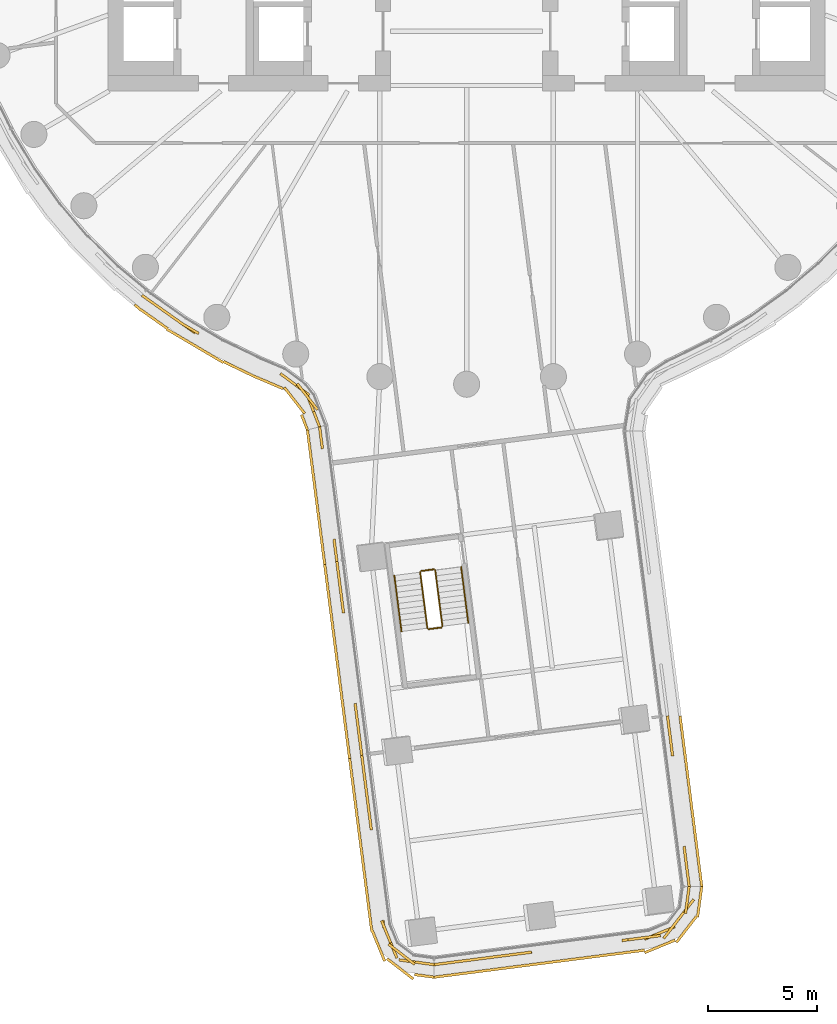
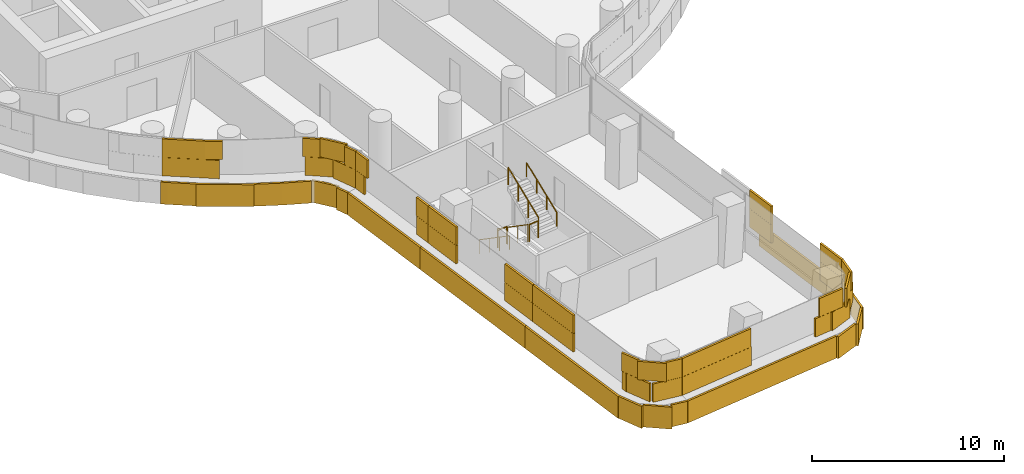
# One storey, part 25 of 31: 6 coverings, 6 railings.
"""IFC4 building model written with IfcOpenShell, lengths in metres."""

from ifc_helpers import new_model, si_unit, direction, frame, origin, origin_2d, place, context, subcontext, project, spatial, rectangle, circle, extrude, material, layer, layer_set, type_object, element, save


model = new_model("IFC4")

# Units and contexts
model_context = context("Model", 3, precision=1e-05, world=origin(), true_north=direction((0.0, 1.0)))
body_context = subcontext(model_context, "Body", "Model", "MODEL_VIEW")
ifc_project = project(units=[si_unit("LENGTHUNIT", "METRE"), si_unit("AREAUNIT", "SQUARE_METRE"), si_unit("VOLUMEUNIT", "CUBIC_METRE"), si_unit("PLANEANGLEUNIT", "RADIAN"), si_unit("MASSUNIT", "GRAM", prefix="KILO")], contexts=[model_context])

# Site, building, storey
site_placement = place(None, origin())
site = spatial("IfcSite", under=ifc_project, at=site_placement, CompositionType="ELEMENT")
building_placement = place(site_placement, origin())
building = spatial("IfcBuilding", under=site, at=building_placement, Name="Tamarind Cross Interchange Tower", CompositionType="ELEMENT")
storey_placement = place(building_placement, frame((0.0, 0.0, 60.25)))
storey = spatial("IfcBuildingStorey", under=building, at=storey_placement, Name="L13", CompositionType="ELEMENT", Elevation=60.25)

# Railings
ifc_material_1 = material(Name="Stair guard")
railing_type_1 = type_object("IfcRailingType", Name="Stair guard", PredefinedType="GUARDRAIL", material=ifc_material_1)
railing_1_placement = place(storey_placement, frame((-2.138916015625, -31.65087890625, 0.17041015625)))
element("IfcRailing", 1, at=railing_1_placement, inside=storey, type_object=railing_type_1, Name="L13 ST6 stair guard 1", PredefinedType="GUARDRAIL", context=body_context, shape_type="SweptSolid", body=[
    extrude(circle(Radius=0.02392578125, at=origin_2d()), frame((0.0, 0.0, 1.076171875), z_axis=(0.106483526738, -0.829487826646, 0.548280223955), x_axis=(0.991860696927, 0.127327757742, 0.0)), (0.0, 0.0, 1.0), 3.10888671875),
    extrude(circle(Radius=0.02099609375, at=origin_2d()), origin(), (0.0, 0.0, 1.0), 1.052001953125),
    extrude(circle(Radius=0.02099609375, at=origin_2d()), frame((0.1103515625, -0.859619140625, 0.568115234375)), (0.0, 0.0, 1.0), 1.052001953125),
    extrude(circle(Radius=0.02099609375, at=origin_2d()), frame((0.220703125, -1.71923828125, 1.136474609375)), (0.0, 0.0, 1.0), 1.052001953125),
    extrude(circle(Radius=0.02099609375, at=origin_2d()), frame((0.3310546875, -2.578857421875, 1.70458984375)), (0.0, 0.0, 1.0), 1.052001953125),
])
railing_2_placement = place(storey_placement, frame((-1.751953125, -34.27294921875, 1.875)))
element("IfcRailing", 2, at=railing_2_placement, inside=storey, type_object=railing_type_1, Name="L13 ST6 stair guard 2", PredefinedType="GUARDRAIL", context=body_context, shape_type="SweptSolid", body=[
    extrude(circle(Radius=0.02392578125, at=origin_2d()), frame((0.0, 0.0, 1.076171875), z_axis=(0.991859281411, 0.127338783873, 0.0), x_axis=(-0.127338783873, 0.991859281411, 0.0)), (0.0, 0.0, 1.0), 0.60009765625),
    extrude(circle(Radius=0.02099609375, at=origin_2d()), origin(), (0.0, 0.0, 1.0), 1.052001953125),
    extrude(circle(Radius=0.02099609375, at=origin_2d()), frame((0.59521484375, 0.076416015625, 0.0)), (0.0, 0.0, 1.0), 1.052001953125),
])
railing_3_placement = place(storey_placement, frame((-1.113525390625, -34.140625, 2.04541015625)))
element("IfcRailing", 3, at=railing_3_placement, inside=storey, type_object=railing_type_1, Name="L13 ST6 stair guard 3", PredefinedType="GUARDRAIL", context=body_context, shape_type="SweptSolid", body=[
    extrude(circle(Radius=0.02392578125, at=origin_2d()), frame((0.0, 0.0, 1.076171875), z_axis=(-0.106483526738, 0.829487826646, 0.548280223955), x_axis=(-0.991860696927, -0.127327757742, 0.0)), (0.0, 0.0, 1.0), 3.10888671875),
    extrude(circle(Radius=0.02099609375, at=origin_2d()), origin(), (0.0, 0.0, 1.0), 1.052001953125),
    extrude(circle(Radius=0.02099609375, at=origin_2d()), frame((-0.1103515625, 0.859619140625, 0.568115234375)), (0.0, 0.0, 1.0), 1.052001953125),
    extrude(circle(Radius=0.02099609375, at=origin_2d()), frame((-0.220703125, 1.71923828125, 1.136474609375)), (0.0, 0.0, 1.0), 1.052001953125),
    extrude(circle(Radius=0.02099609375, at=origin_2d()), frame((-0.3310546875, 2.578857421875, 1.70458984375)), (0.0, 0.0, 1.0), 1.052001953125),
])
railing_4_placement = place(storey_placement, frame((-2.095703125, -31.5947265625, 0.0)))
element("IfcRailing", 4, at=railing_4_placement, inside=storey, type_object=railing_type_1, Name="L13 ST6 stair guard 4", PredefinedType="GUARDRAIL", context=body_context, shape_type="SweptSolid", body=[
    extrude(circle(Radius=0.02392578125, at=origin_2d()), frame((0.0, 0.0, 1.076171875), z_axis=(0.991910587216, 0.126938516494, 0.0), x_axis=(-0.126938516494, 0.991910587216, 0.0)), (0.0, 0.0, 1.0), 0.60009765625),
    extrude(circle(Radius=0.02099609375, at=origin_2d()), origin(), (0.0, 0.0, 1.0), 1.052001953125),
    extrude(circle(Radius=0.02099609375, at=origin_2d()), frame((0.59521484375, 0.076171875, 0.0)), (0.0, 0.0, 1.0), 1.052001953125),
])
ifc_material_2 = material(Name="Stair handrail")
railing_type_2 = type_object("IfcRailingType", Name="Stair handrail", PredefinedType="HANDRAIL", material=ifc_material_2)
railing_5_placement = place(storey_placement, frame((-3.3291015625, -31.803466796875, 0.17041015625)))
element("IfcRailing", 5, at=railing_5_placement, inside=storey, type_object=railing_type_2, Name="L13 ST6 stair handrail 1", PredefinedType="HANDRAIL", context=body_context, shape_type="SweptSolid", body=[
    extrude(circle(Radius=0.02392578125, at=origin_2d()), frame((0.0, 0.0, 0.8759765625), z_axis=(0.106483526738, -0.829487826646, 0.548280223955), x_axis=(0.991860696927, 0.127327757742, 0.0)), (0.0, 0.0, 1.0), 3.10888671875),
    extrude(circle(Radius=0.02099609375, at=origin_2d()), origin(), (0.0, 0.0, 1.0), 0.851806640625),
    extrude(circle(Radius=0.02099609375, at=origin_2d()), frame((0.1103515625, -0.859619140625, 0.568115234375)), (0.0, 0.0, 1.0), 0.851806640625),
    extrude(circle(Radius=0.02099609375, at=origin_2d()), frame((0.220703125, -1.71923828125, 1.136474609375)), (0.0, 0.0, 1.0), 0.851806640625),
    extrude(circle(Radius=0.02099609375, at=origin_2d()), frame((0.3310546875, -2.578857421875, 1.70458984375)), (0.0, 0.0, 1.0), 0.851806640625),
])
railing_6_placement = place(storey_placement, frame((0.07666015625, -33.98779296875, 2.04541015625)))
element("IfcRailing", 6, at=railing_6_placement, inside=storey, type_object=railing_type_2, Name="L13 ST6 stair handrail 2", PredefinedType="HANDRAIL", context=body_context, shape_type="SweptSolid", body=[
    extrude(circle(Radius=0.02392578125, at=origin_2d()), frame((0.0, 0.0, 0.8759765625), z_axis=(-0.106483526738, 0.829487826646, 0.548280223955), x_axis=(-0.991860696927, -0.127327757742, 0.0)), (0.0, 0.0, 1.0), 3.10888671875),
    extrude(circle(Radius=0.02099609375, at=origin_2d()), origin(), (0.0, 0.0, 1.0), 0.851806640625),
    extrude(circle(Radius=0.02099609375, at=origin_2d()), frame((-0.1103515625, 0.859619140625, 0.568115234375)), (0.0, 0.0, 1.0), 0.851806640625),
    extrude(circle(Radius=0.02099609375, at=origin_2d()), frame((-0.220703125, 1.71923828125, 1.136474609375)), (0.0, 0.0, 1.0), 0.851806640625),
    extrude(circle(Radius=0.02099609375, at=origin_2d()), frame((-0.3310546875, 2.578857421875, 1.70458984375)), (0.0, 0.0, 1.0), 0.851806640625),
])

# Coverings
ifc_material_3 = material(Name="Terracotta", Category="masonry")
ifc_layer = layer(ifc_material_3, 0.1201171875)
ifc_layer_set = layer_set([ifc_layer], Name="Terracotta")
covering_type = type_object("IfcCoveringType", Name="Terracotta baguette screen unit", PredefinedType="MOLDING", material=ifc_layer_set)
covering_1_placement = place(storey_placement, origin())
element("IfcCovering", 7, at=covering_1_placement, inside=storey, type_object=covering_type, Name="SCR-L13-02-01", PredefinedType="MOLDING", context=body_context, shape_type="SweptSolid", body=[
    extrude(rectangle(XDim=1.493896484375, YDim=0.1201171875, at=origin_2d()), frame((-14.331787109375, -19.33984375, 1.404052734375), z_axis=(0.0, 0.0, 1.0), x_axis=(0.816341886298, -0.577568978284, 0.0)), (0.0, 0.0, 1.0), 1.1669921875),
    extrude(rectangle(XDim=1.52001953125, YDim=0.1201171875, at=origin_2d()), frame((-13.11376953125, -20.201416015625, 1.404052734375), z_axis=(0.0, 0.0, 1.0), x_axis=(0.816341886298, -0.577568978284, 0.0)), (0.0, 0.0, 1.0), 1.1669921875),
    extrude(rectangle(XDim=1.52001953125, YDim=0.1201171875, at=origin_2d()), frame((-7.8515625, -23.047607421875, 1.404052734375), z_axis=(0.0, 0.0, 1.0), x_axis=(0.802208904027, -0.597043444231, 0.0)), (0.0, 0.0, 1.0), 1.1669921875),
    extrude(rectangle(XDim=1.505615234375, YDim=0.1201171875, at=origin_2d()), frame((-7.039306640625, -24.2626953125, 1.404052734375), z_axis=(0.0, 0.0, 1.0), x_axis=(0.362472967491, -0.931994285303, 0.0)), (0.0, 0.0, 1.0), 1.1669921875),
    extrude(rectangle(XDim=0.743896484375, YDim=0.1201171875, at=origin_2d()), frame((-14.637939453125, -19.123291015625, 2.5791015625), z_axis=(0.0, 0.0, 1.0), x_axis=(0.816341886298, -0.577568978284, 0.0)), (0.0, 0.0, 1.0), 1.1669921875),
    extrude(rectangle(XDim=1.52001953125, YDim=0.1201171875, at=origin_2d()), frame((-13.72607421875, -19.768310546875, 2.5791015625), z_axis=(0.0, 0.0, 1.0), x_axis=(0.816341886298, -0.577568978284, 0.0)), (0.0, 0.0, 1.0), 1.1669921875),
    extrude(rectangle(XDim=0.915771484375, YDim=0.1201171875, at=origin_2d()), frame((-12.72509765625, -20.433837890625, 2.5791015625), z_axis=(0.0, 0.0, 1.0), x_axis=(0.861248933065, -0.508183308752, 0.0)), (0.0, 0.0, 1.0), 1.1669921875),
    extrude(rectangle(XDim=0.904296875, YDim=0.1201171875, at=origin_2d()), frame((-8.210205078125, -22.78076171875, 2.5791015625), z_axis=(0.0, 0.0, 1.0), x_axis=(0.802208904027, -0.597043444231, 0.0)), (0.0, 0.0, 1.0), 1.1669921875),
    extrude(rectangle(XDim=1.52001953125, YDim=0.1201171875, at=origin_2d()), frame((-7.32861328125, -23.576171875, 2.5791015625), z_axis=(0.0, 0.0, 1.0), x_axis=(0.615646418877, -0.788022516762, 0.0)), (0.0, 0.0, 1.0), 1.1669921875),
    extrude(rectangle(XDim=0.755615234375, YDim=0.1201171875, at=origin_2d()), frame((-6.9033203125, -24.6123046875, 2.5791015625), z_axis=(0.0, 0.0, 1.0), x_axis=(0.362472967491, -0.931994285303, 0.0)), (0.0, 0.0, 1.0), 1.1669921875),
    extrude(rectangle(XDim=0.375244140625, YDim=0.1201171875, at=origin_2d()), frame((-15.1357421875, -19.46435546875, 0.00390625), z_axis=(0.0, 0.0, 1.0), x_axis=(0.765858396687, -0.643009266048, 0.0)), (0.0, 0.0, 1.0), 1.39208984375),
    extrude(rectangle(XDim=1.52001953125, YDim=0.1201171875, at=origin_2d()), frame((-14.38330078125, -20.00634765625, 0.00390625), z_axis=(0.0, 0.0, 1.0), x_axis=(0.816341886298, -0.577568978284, 0.0)), (0.0, 0.0, 1.0), 1.39208984375),
    extrude(rectangle(XDim=1.52001953125, YDim=0.1201171875, at=origin_2d()), frame((-13.1455078125, -20.852294921875, 0.00390625), z_axis=(0.0, 0.0, 1.0), x_axis=(0.861248933065, -0.508183308752, 0.0)), (0.0, 0.0, 1.0), 1.39208984375),
    extrude(rectangle(XDim=1.52001953125, YDim=0.1201171875, at=origin_2d()), frame((-11.853759765625, -21.61474609375, 0.00390625), z_axis=(0.0, 0.0, 1.0), x_axis=(0.861248933065, -0.508183308752, 0.0)), (0.0, 0.0, 1.0), 1.39208984375),
    extrude(rectangle(XDim=1.52001953125, YDim=0.1201171875, at=origin_2d()), frame((-10.5126953125, -22.285400390625, 0.00390625), z_axis=(0.0, 0.0, 1.0), x_axis=(0.900272776334, -0.435326231914, 0.0)), (0.0, 0.0, 1.0), 1.39208984375),
    extrude(rectangle(XDim=1.52001953125, YDim=0.1201171875, at=origin_2d()), frame((-9.14794921875, -22.90673828125, 0.00390625), z_axis=(0.0, 0.0, 1.0), x_axis=(0.920061117833, -0.391774858116, 0.0)), (0.0, 0.0, 1.0), 1.39208984375),
    extrude(rectangle(XDim=1.52001953125, YDim=0.1201171875, at=origin_2d()), frame((-7.922607421875, -23.748291015625, 0.00390625), z_axis=(0.0, 0.0, 1.0), x_axis=(0.615646418877, -0.788022516762, 0.0)), (0.0, 0.0, 1.0), 1.39208984375),
    extrude(rectangle(XDim=0.746337890625, YDim=0.1201171875, at=origin_2d()), frame((-7.4638671875, -24.75439453125, 0.00390625), z_axis=(0.0, 0.0, 1.0), x_axis=(0.362472967491, -0.931994285303, 0.0)), (0.0, 0.0, 1.0), 1.39208984375),
])
covering_2_placement = place(storey_placement, origin())
element("IfcCovering", 8, at=covering_2_placement, inside=storey, type_object=covering_type, Name="SCR-L13-03-00", PredefinedType="MOLDING", context=body_context, shape_type="SweptSolid", body=[
    extrude(rectangle(XDim=0.760009765625, YDim=0.1201171875, at=origin_2d()), frame((-6.720458984375, -25.33154296875, 1.404052734375), z_axis=(0.0, 0.0, 1.0), x_axis=(0.127300045824, -0.991864253985, 0.0)), (0.0, 0.0, 1.0), 1.1669921875),
    extrude(rectangle(XDim=0.997314453125, YDim=0.1201171875, at=origin_2d()), frame((-6.037109375, -30.656494140625, 1.404052734375), z_axis=(0.0, 0.0, 1.0), x_axis=(0.127300045824, -0.991864253985, 0.0)), (0.0, 0.0, 1.0), 1.1669921875),
    extrude(rectangle(XDim=1.0185546875, YDim=0.1201171875, at=origin_2d()), frame((-6.703369140625, -25.46484375, 2.5791015625), z_axis=(0.0, 0.0, 1.0), x_axis=(0.127300045824, -0.991864253985, 0.0)), (0.0, 0.0, 1.0), 1.1669921875),
    extrude(rectangle(XDim=0.79150390625, YDim=0.1201171875, at=origin_2d()), frame((-6.05419921875, -30.5234375, 2.5791015625), z_axis=(0.0, 0.0, 1.0), x_axis=(0.127300045824, -0.991864253985, 0.0)), (0.0, 0.0, 1.0), 1.1669921875),
    extrude(rectangle(XDim=0.247314453125, YDim=0.1201171875, at=origin_2d()), frame((-5.989501953125, -31.028564453125, 2.5791015625), z_axis=(0.0, 0.0, 1.0), x_axis=(0.127300045824, -0.991864253985, 0.0)), (0.0, 0.0, 1.0), 1.1669921875),
    extrude(rectangle(XDim=0.760009765625, YDim=0.1201171875, at=origin_2d()), frame((-7.2802734375, -25.479248046875, 0.00390625), z_axis=(0.0, 0.0, 1.0), x_axis=(0.127300045824, -0.991864253985, 0.0)), (0.0, 0.0, 1.0), 1.39208984375),
    extrude(rectangle(XDim=1.52001953125, YDim=0.1201171875, at=origin_2d()), frame((-7.1376953125, -26.590087890625, 0.00390625), z_axis=(0.0, 0.0, 1.0), x_axis=(0.127300045824, -0.991864253985, 0.0)), (0.0, 0.0, 1.0), 1.39208984375),
    extrude(rectangle(XDim=1.52001953125, YDim=0.1201171875, at=origin_2d()), frame((-6.94677734375, -28.077880859375, 0.00390625), z_axis=(0.0, 0.0, 1.0), x_axis=(0.127300045824, -0.991864253985, 0.0)), (0.0, 0.0, 1.0), 1.39208984375),
    extrude(rectangle(XDim=1.52001953125, YDim=0.1201171875, at=origin_2d()), frame((-6.755859375, -29.565673828125, 0.00390625), z_axis=(0.0, 0.0, 1.0), x_axis=(0.127300045824, -0.991864253985, 0.0)), (0.0, 0.0, 1.0), 1.39208984375),
    extrude(rectangle(XDim=0.998779296875, YDim=0.1201171875, at=origin_2d()), frame((-6.59814453125, -30.794921875, 0.00390625), z_axis=(0.0, 0.0, 1.0), x_axis=(0.127300045824, -0.991864253985, 0.0)), (0.0, 0.0, 1.0), 1.39208984375),
])
covering_3_placement = place(storey_placement, origin())
element("IfcCovering", 9, at=covering_3_placement, inside=storey, type_object=covering_type, Name="SCR-L13-03-01", PredefinedType="MOLDING", context=body_context, shape_type="SweptSolid", body=[
    extrude(rectangle(XDim=0.522705078125, YDim=0.1201171875, at=origin_2d()), frame((-5.941650390625, -31.400390625, 1.404052734375), z_axis=(0.0, 0.0, 1.0), x_axis=(0.127300045824, -0.991864253985, 0.0)), (0.0, 0.0, 1.0), 1.1669921875),
    extrude(rectangle(XDim=1.52001953125, YDim=0.1201171875, at=origin_2d()), frame((-5.8134765625, -32.398681640625, 1.404052734375), z_axis=(0.0, 0.0, 1.0), x_axis=(0.127300045824, -0.991864253985, 0.0)), (0.0, 0.0, 1.0), 1.1669921875),
    extrude(rectangle(XDim=0.3974609375, YDim=0.1201171875, at=origin_2d()), frame((-5.693359375, -33.334716796875, 1.404052734375), z_axis=(0.0, 0.0, 1.0), x_axis=(0.127300045824, -0.991864253985, 0.0)), (0.0, 0.0, 1.0), 1.1669921875),
    extrude(rectangle(XDim=1.422607421875, YDim=0.1201171875, at=origin_2d()), frame((-5.044189453125, -38.393310546875, 1.404052734375), z_axis=(0.0, 0.0, 1.0), x_axis=(0.127300045824, -0.991864253985, 0.0)), (0.0, 0.0, 1.0), 1.1669921875),
    extrude(rectangle(XDim=0.99755859375, YDim=0.1201171875, at=origin_2d()), frame((-4.891357421875, -39.58349609375, 1.404052734375), z_axis=(0.0, 0.0, 1.0), x_axis=(0.127300045824, -0.991864253985, 0.0)), (0.0, 0.0, 1.0), 1.1669921875),
    extrude(rectangle(XDim=1.272705078125, YDim=0.1201171875, at=origin_2d()), frame((-5.89404296875, -31.7724609375, 2.5791015625), z_axis=(0.0, 0.0, 1.0), x_axis=(0.127300045824, -0.991864253985, 0.0)), (0.0, 0.0, 1.0), 1.1669921875),
    extrude(rectangle(XDim=1.1474609375, YDim=0.1201171875, at=origin_2d()), frame((-5.7412109375, -32.962646484375, 2.5791015625), z_axis=(0.0, 0.0, 1.0), x_axis=(0.127300045824, -0.991864253985, 0.0)), (0.0, 0.0, 1.0), 1.1669921875),
    extrude(rectangle(XDim=0.672607421875, YDim=0.1201171875, at=origin_2d()), frame((-5.092041015625, -38.021240234375, 2.5791015625), z_axis=(0.0, 0.0, 1.0), x_axis=(0.127300045824, -0.991864253985, 0.0)), (0.0, 0.0, 1.0), 1.1669921875),
    extrude(rectangle(XDim=1.52001953125, YDim=0.1201171875, at=origin_2d()), frame((-4.954345703125, -39.09375, 2.5791015625), z_axis=(0.0, 0.0, 1.0), x_axis=(0.127300045824, -0.991864253985, 0.0)), (0.0, 0.0, 1.0), 1.1669921875),
    extrude(rectangle(XDim=0.24755859375, YDim=0.1201171875, at=origin_2d()), frame((-4.84375, -39.95556640625, 2.5791015625), z_axis=(0.0, 0.0, 1.0), x_axis=(0.127300045824, -0.991864253985, 0.0)), (0.0, 0.0, 1.0), 1.1669921875),
    extrude(rectangle(XDim=0.521240234375, YDim=0.1201171875, at=origin_2d()), frame((-6.501220703125, -31.548828125, 0.00390625), z_axis=(0.0, 0.0, 1.0), x_axis=(0.127300045824, -0.991864253985, 0.0)), (0.0, 0.0, 1.0), 1.39208984375),
    extrude(rectangle(XDim=1.52001953125, YDim=0.1201171875, at=origin_2d()), frame((-6.3740234375, -32.541259765625, 0.00390625), z_axis=(0.0, 0.0, 1.0), x_axis=(0.127300045824, -0.991864253985, 0.0)), (0.0, 0.0, 1.0), 1.39208984375),
    extrude(rectangle(XDim=1.52001953125, YDim=0.1201171875, at=origin_2d()), frame((-6.18310546875, -34.029052734375, 0.00390625), z_axis=(0.0, 0.0, 1.0), x_axis=(0.127300045824, -0.991864253985, 0.0)), (0.0, 0.0, 1.0), 1.39208984375),
    extrude(rectangle(XDim=1.52001953125, YDim=0.1201171875, at=origin_2d()), frame((-5.991943359375, -35.516845703125, 0.00390625), z_axis=(0.0, 0.0, 1.0), x_axis=(0.127300045824, -0.991864253985, 0.0)), (0.0, 0.0, 1.0), 1.39208984375),
    extrude(rectangle(XDim=1.52001953125, YDim=0.1201171875, at=origin_2d()), frame((-5.801025390625, -37.004638671875, 0.00390625), z_axis=(0.0, 0.0, 1.0), x_axis=(0.127300045824, -0.991864253985, 0.0)), (0.0, 0.0, 1.0), 1.39208984375),
    extrude(rectangle(XDim=1.52001953125, YDim=0.1201171875, at=origin_2d()), frame((-5.610107421875, -38.492431640625, 0.00390625), z_axis=(0.0, 0.0, 1.0), x_axis=(0.127300045824, -0.991864253985, 0.0)), (0.0, 0.0, 1.0), 1.39208984375),
    extrude(rectangle(XDim=1.001220703125, YDim=0.1201171875, at=origin_2d()), frame((-5.4521484375, -39.722900390625, 0.00390625), z_axis=(0.0, 0.0, 1.0), x_axis=(0.127300045824, -0.991864253985, 0.0)), (0.0, 0.0, 1.0), 1.39208984375),
])
covering_4_placement = place(storey_placement, origin())
element("IfcCovering", 10, at=covering_4_placement, inside=storey, type_object=covering_type, Name="SCR-L13-03-02", PredefinedType="MOLDING", context=body_context, shape_type="SweptSolid", body=[
    extrude(rectangle(XDim=0.5224609375, YDim=0.1201171875, at=origin_2d()), frame((-4.7958984375, -40.327392578125, 1.404052734375), z_axis=(0.0, 0.0, 1.0), x_axis=(0.127300045824, -0.991864253985, 0.0)), (0.0, 0.0, 1.0), 1.1669921875),
    extrude(rectangle(XDim=1.52001953125, YDim=0.1201171875, at=origin_2d()), frame((-4.66796875, -41.325439453125, 1.404052734375), z_axis=(0.0, 0.0, 1.0), x_axis=(0.127300045824, -0.991864253985, 0.0)), (0.0, 0.0, 1.0), 1.1669921875),
    extrude(rectangle(XDim=1.46533203125, YDim=0.1201171875, at=origin_2d()), frame((-4.479736328125, -42.791015625, 1.404052734375), z_axis=(0.0, 0.0, 1.0), x_axis=(0.127300045824, -0.991864253985, 0.0)), (0.0, 0.0, 1.0), 1.1669921875),
    extrude(rectangle(XDim=0.354736328125, YDim=0.1201171875, at=origin_2d()), frame((-3.83056640625, -47.849609375, 1.404052734375), z_axis=(0.0, 0.0, 1.0), x_axis=(0.127300045824, -0.991864253985, 0.0)), (0.0, 0.0, 1.0), 1.1669921875),
    extrude(rectangle(XDim=1.52001953125, YDim=0.1201171875, at=origin_2d()), frame((-3.497802734375, -48.70751953125, 1.404052734375), z_axis=(0.0, 0.0, 1.0), x_axis=(0.379675761037, -0.925119622795, 0.0)), (0.0, 0.0, 1.0), 1.1669921875),
    extrude(rectangle(XDim=1.52001953125, YDim=0.1201171875, at=origin_2d()), frame((-2.36083984375, -49.59814453125, 1.404052734375), z_axis=(0.0, 0.0, 1.0), x_axis=(0.991014975399, -0.133750957139, 0.0)), (0.0, 0.0, 1.0), 1.1669921875),
    extrude(rectangle(XDim=0.1328125, YDim=0.1201171875, at=origin_2d()), frame((-1.556884765625, -49.706787109375, 1.404052734375), z_axis=(0.0, 0.0, 1.0), x_axis=(0.991014975399, -0.133750957139, 0.0)), (0.0, 0.0, 1.0), 1.1669921875),
    extrude(rectangle(XDim=1.2724609375, YDim=0.1201171875, at=origin_2d()), frame((-4.748291015625, -40.699462890625, 2.5791015625), z_axis=(0.0, 0.0, 1.0), x_axis=(0.127300045824, -0.991864253985, 0.0)), (0.0, 0.0, 1.0), 1.1669921875),
    extrude(rectangle(XDim=1.52001953125, YDim=0.1201171875, at=origin_2d()), frame((-4.572265625, -42.0693359375, 2.5791015625), z_axis=(0.0, 0.0, 1.0), x_axis=(0.127300045824, -0.991864253985, 0.0)), (0.0, 0.0, 1.0), 1.1669921875),
    extrude(rectangle(XDim=0.71533203125, YDim=0.1201171875, at=origin_2d()), frame((-4.43212890625, -43.1630859375, 2.5791015625), z_axis=(0.0, 0.0, 1.0), x_axis=(0.127300045824, -0.991864253985, 0.0)), (0.0, 0.0, 1.0), 1.1669921875),
    extrude(rectangle(XDim=1.104736328125, YDim=0.1201171875, at=origin_2d()), frame((-3.70556640625, -48.201171875, 2.5791015625), z_axis=(0.0, 0.0, 1.0), x_axis=(0.379675761037, -0.925119622795, 0.0)), (0.0, 0.0, 1.0), 1.1669921875),
    extrude(rectangle(XDim=1.52001953125, YDim=0.1201171875, at=origin_2d()), frame((-2.994140625, -49.234375, 2.5791015625), z_axis=(0.0, 0.0, 1.0), x_axis=(0.791368665657, -0.611339214362, 0.0)), (0.0, 0.0, 1.0), 1.1669921875),
    extrude(rectangle(XDim=0.8828125, YDim=0.1201171875, at=origin_2d()), frame((-1.928466796875, -49.656494140625, 2.5791015625), z_axis=(0.0, 0.0, 1.0), x_axis=(0.991014975399, -0.133750957139, 0.0)), (0.0, 0.0, 1.0), 1.1669921875),
    extrude(rectangle(XDim=0.518798828125, YDim=0.1201171875, at=origin_2d()), frame((-5.35546875, -40.476806640625, 0.00390625), z_axis=(0.0, 0.0, 1.0), x_axis=(0.127300045824, -0.991864253985, 0.0)), (0.0, 0.0, 1.0), 1.39208984375),
    extrude(rectangle(XDim=1.52001953125, YDim=0.1201171875, at=origin_2d()), frame((-5.228271484375, -41.468017578125, 0.00390625), z_axis=(0.0, 0.0, 1.0), x_axis=(0.127300045824, -0.991864253985, 0.0)), (0.0, 0.0, 1.0), 1.39208984375),
    extrude(rectangle(XDim=1.52001953125, YDim=0.1201171875, at=origin_2d()), frame((-5.037353515625, -42.955810546875, 0.00390625), z_axis=(0.0, 0.0, 1.0), x_axis=(0.127300045824, -0.991864253985, 0.0)), (0.0, 0.0, 1.0), 1.39208984375),
    extrude(rectangle(XDim=1.52001953125, YDim=0.1201171875, at=origin_2d()), frame((-4.846435546875, -44.443603515625, 0.00390625), z_axis=(0.0, 0.0, 1.0), x_axis=(0.127300045824, -0.991864253985, 0.0)), (0.0, 0.0, 1.0), 1.39208984375),
    extrude(rectangle(XDim=1.52001953125, YDim=0.1201171875, at=origin_2d()), frame((-4.6552734375, -45.931396484375, 0.00390625), z_axis=(0.0, 0.0, 1.0), x_axis=(0.127300045824, -0.991864253985, 0.0)), (0.0, 0.0, 1.0), 1.39208984375),
    extrude(rectangle(XDim=1.52001953125, YDim=0.1201171875, at=origin_2d()), frame((-4.46435546875, -47.419189453125, 0.00390625), z_axis=(0.0, 0.0, 1.0), x_axis=(0.127300045824, -0.991864253985, 0.0)), (0.0, 0.0, 1.0), 1.39208984375),
    extrude(rectangle(XDim=1.52001953125, YDim=0.1201171875, at=origin_2d()), frame((-4.0595703125, -48.8505859375, 0.00390625), z_axis=(0.0, 0.0, 1.0), x_axis=(0.379675761037, -0.925119622795, 0.0)), (0.0, 0.0, 1.0), 1.39208984375),
    extrude(rectangle(XDim=1.52001953125, YDim=0.1201171875, at=origin_2d()), frame((-3.05908203125, -49.90966796875, 0.00390625), z_axis=(0.0, 0.0, 1.0), x_axis=(0.791368665657, -0.611339214362, 0.0)), (0.0, 0.0, 1.0), 1.39208984375),
    extrude(rectangle(XDim=0.904541015625, YDim=0.1201171875, at=origin_2d()), frame((-1.946044921875, -50.2333984375, 0.00390625), z_axis=(0.0, 0.0, 1.0), x_axis=(0.991014975399, -0.133750957139, 0.0)), (0.0, 0.0, 1.0), 1.39208984375),
])
covering_5_placement = place(storey_placement, origin())
element("IfcCovering", 11, at=covering_5_placement, inside=storey, type_object=covering_type, Name="SCR-L13-04-00", PredefinedType="MOLDING", context=body_context, shape_type="SweptSolid", body=[
    extrude(rectangle(XDim=0.760009765625, YDim=0.1201171875, at=origin_2d()), frame((-1.1240234375, -49.667236328125, 1.404052734375), z_axis=(0.0, 0.0, 1.0), x_axis=(0.991864253985, 0.127300045824, 0.0)), (0.0, 0.0, 1.0), 1.1669921875),
    extrude(rectangle(XDim=1.52001953125, YDim=0.1201171875, at=origin_2d()), frame((-0.008056640625, -49.52392578125, 1.404052734375), z_axis=(0.0, 0.0, 1.0), x_axis=(0.991864253985, 0.127300045824, 0.0)), (0.0, 0.0, 1.0), 1.1669921875),
    extrude(rectangle(XDim=1.52001953125, YDim=0.1201171875, at=origin_2d()), frame((1.479736328125, -49.3330078125, 1.404052734375), z_axis=(0.0, 0.0, 1.0), x_axis=(0.991864253985, 0.127300045824, 0.0)), (0.0, 0.0, 1.0), 1.1669921875),
    extrude(rectangle(XDim=0.784912109375, YDim=0.1201171875, at=origin_2d()), frame((2.60791015625, -49.188232421875, 1.404052734375), z_axis=(0.0, 0.0, 1.0), x_axis=(0.991864253985, 0.127300045824, 0.0)), (0.0, 0.0, 1.0), 1.1669921875),
    extrude(rectangle(XDim=1.03515625, YDim=0.1201171875, at=origin_2d()), frame((7.666259765625, -48.5390625, 1.404052734375), z_axis=(0.0, 0.0, 1.0), x_axis=(0.991864253985, 0.127300045824, 0.0)), (0.0, 0.0, 1.0), 1.1669921875),
    extrude(rectangle(XDim=1.52001953125, YDim=0.1201171875, at=origin_2d()), frame((8.886962890625, -48.258056640625, 1.404052734375), z_axis=(0.0, 0.0, 1.0), x_axis=(0.925119622795, 0.379675761037, 0.0)), (0.0, 0.0, 1.0), 1.1669921875),
    extrude(rectangle(XDim=1.52001953125, YDim=0.1201171875, at=origin_2d()), frame((9.990478515625, -47.31591796875, 1.404052734375), z_axis=(0.0, 0.0, 1.0), x_axis=(0.611339214362, 0.791368665657, 0.0)), (0.0, 0.0, 1.0), 1.1669921875),
    extrude(rectangle(XDim=0.509521484375, YDim=0.1201171875, at=origin_2d()), frame((10.20947265625, -46.36083984375, 1.404052734375), z_axis=(0.0, 0.0, 1.0), x_axis=(0.133750957139, 0.991014975399, 0.0)), (0.0, 0.0, 1.0), 1.1669921875),
    extrude(rectangle(XDim=1.510009765625, YDim=0.1201171875, at=origin_2d()), frame((-0.751953125, -49.619384765625, 2.5791015625), z_axis=(0.0, 0.0, 1.0), x_axis=(0.991864253985, 0.127300045824, 0.0)), (0.0, 0.0, 1.0), 1.1669921875),
    extrude(rectangle(XDim=1.52001953125, YDim=0.1201171875, at=origin_2d()), frame((0.73583984375, -49.428466796875, 2.5791015625), z_axis=(0.0, 0.0, 1.0), x_axis=(0.991864253985, 0.127300045824, 0.0)), (0.0, 0.0, 1.0), 1.1669921875),
    extrude(rectangle(XDim=1.52001953125, YDim=0.1201171875, at=origin_2d()), frame((2.2236328125, -49.237548828125, 2.5791015625), z_axis=(0.0, 0.0, 1.0), x_axis=(0.991864253985, 0.127300045824, 0.0)), (0.0, 0.0, 1.0), 1.1669921875),
    extrude(rectangle(XDim=1.52001953125, YDim=0.1201171875, at=origin_2d()), frame((8.1748046875, -48.473876953125, 2.5791015625), z_axis=(0.0, 0.0, 1.0), x_axis=(0.991864253985, 0.127300045824, 0.0)), (0.0, 0.0, 1.0), 1.1669921875),
    extrude(rectangle(XDim=1.52001953125, YDim=0.1201171875, at=origin_2d()), frame((9.531982421875, -47.909423828125, 2.5791015625), z_axis=(0.0, 0.0, 1.0), x_axis=(0.611339214362, 0.791368665657, 0.0)), (0.0, 0.0, 1.0), 1.1669921875),
    extrude(rectangle(XDim=1.259521484375, YDim=0.1201171875, at=origin_2d()), frame((10.159423828125, -46.732421875, 2.5791015625), z_axis=(0.0, 0.0, 1.0), x_axis=(0.133750957139, 0.991014975399, 0.0)), (0.0, 0.0, 1.0), 1.1669921875),
    extrude(rectangle(XDim=0.760009765625, YDim=0.1201171875, at=origin_2d()), frame((-1.120849609375, -50.24560546875, 0.00390625), z_axis=(0.0, 0.0, 1.0), x_axis=(0.991864253985, 0.127300045824, 0.0)), (0.0, 0.0, 1.0), 1.39208984375),
    extrude(rectangle(XDim=1.52001953125, YDim=0.1201171875, at=origin_2d()), frame((-0.010009765625, -50.10302734375, 0.00390625), z_axis=(0.0, 0.0, 1.0), x_axis=(0.991864253985, 0.127300045824, 0.0)), (0.0, 0.0, 1.0), 1.39208984375),
    extrude(rectangle(XDim=1.52001953125, YDim=0.1201171875, at=origin_2d()), frame((1.477783203125, -49.912109375, 0.00390625), z_axis=(0.0, 0.0, 1.0), x_axis=(0.991864253985, 0.127300045824, 0.0)), (0.0, 0.0, 1.0), 1.39208984375),
    extrude(rectangle(XDim=1.52001953125, YDim=0.1201171875, at=origin_2d()), frame((2.965576171875, -49.72119140625, 0.00390625), z_axis=(0.0, 0.0, 1.0), x_axis=(0.991864253985, 0.127300045824, 0.0)), (0.0, 0.0, 1.0), 1.39208984375),
    extrude(rectangle(XDim=1.52001953125, YDim=0.1201171875, at=origin_2d()), frame((4.453369140625, -49.530029296875, 0.00390625), z_axis=(0.0, 0.0, 1.0), x_axis=(0.991864253985, 0.127300045824, 0.0)), (0.0, 0.0, 1.0), 1.39208984375),
    extrude(rectangle(XDim=1.52001953125, YDim=0.1201171875, at=origin_2d()), frame((5.941162109375, -49.339111328125, 0.00390625), z_axis=(0.0, 0.0, 1.0), x_axis=(0.991864253985, 0.127300045824, 0.0)), (0.0, 0.0, 1.0), 1.39208984375),
    extrude(rectangle(XDim=1.52001953125, YDim=0.1201171875, at=origin_2d()), frame((7.428955078125, -49.148193359375, 0.00390625), z_axis=(0.0, 0.0, 1.0), x_axis=(0.991864253985, 0.127300045824, 0.0)), (0.0, 0.0, 1.0), 1.39208984375),
    extrude(rectangle(XDim=1.52001953125, YDim=0.1201171875, at=origin_2d()), frame((8.89501953125, -48.875244140625, 0.00390625), z_axis=(0.0, 0.0, 1.0), x_axis=(0.925119622795, 0.379675761037, 0.0)), (0.0, 0.0, 1.0), 1.39208984375),
    extrude(rectangle(XDim=1.52001953125, YDim=0.1201171875, at=origin_2d()), frame((10.1181640625, -48.08984375, 0.00390625), z_axis=(0.0, 0.0, 1.0), x_axis=(0.611339214362, 0.791368665657, 0.0)), (0.0, 0.0, 1.0), 1.39208984375),
    extrude(rectangle(XDim=1.4267578125, YDim=0.1201171875, at=origin_2d()), frame((10.726318359375, -46.822509765625, 0.00390625), z_axis=(0.0, 0.0, 1.0), x_axis=(0.133750957139, 0.991014975399, 0.0)), (0.0, 0.0, 1.0), 1.39208984375),
])
covering_6_placement = place(storey_placement, origin())
element("IfcCovering", 12, at=covering_6_placement, inside=storey, type_object=covering_type, Name="SCR-L13-05-00", PredefinedType="MOLDING", context=body_context, shape_type="SweptSolid", body=[
    extrude(rectangle(XDim=0.760009765625, YDim=0.1201171875, at=origin_2d()), frame((10.195556640625, -45.7412109375, 1.404052734375), z_axis=(0.0, 0.0, 1.0), x_axis=(-0.126160958881, 0.992009784455, 0.0)), (0.0, 0.0, 1.0), 1.1669921875),
    extrude(rectangle(XDim=1.1142578125, YDim=0.1201171875, at=origin_2d()), frame((10.07861328125, -44.821533203125, 1.404052734375), z_axis=(0.0, 0.0, 1.0), x_axis=(-0.126160958881, 0.992009784455, 0.0)), (0.0, 0.0, 1.0), 1.1669921875),
    extrude(rectangle(XDim=0.705810546875, YDim=0.1201171875, at=origin_2d()), frame((9.435302734375, -39.76220703125, 1.404052734375), z_axis=(0.0, 0.0, 1.0), x_axis=(-0.126160958881, 0.992009784455, 0.0)), (0.0, 0.0, 1.0), 1.1669921875),
    extrude(rectangle(XDim=1.16845703125, YDim=0.1201171875, at=origin_2d()), frame((9.318359375, -38.842529296875, 1.404052734375), z_axis=(0.0, 0.0, 1.0), x_axis=(-0.126160958881, 0.992009784455, 0.0)), (0.0, 0.0, 1.0), 1.1669921875),
    extrude(rectangle(XDim=1.510009765625, YDim=0.1201171875, at=origin_2d()), frame((10.148193359375, -45.369140625, 2.5791015625), z_axis=(0.0, 0.0, 1.0), x_axis=(-0.126160958881, 0.992009784455, 0.0)), (0.0, 0.0, 1.0), 1.1669921875),
    extrude(rectangle(XDim=0.3642578125, YDim=0.1201171875, at=origin_2d()), frame((10.03125, -44.449462890625, 2.5791015625), z_axis=(0.0, 0.0, 1.0), x_axis=(-0.126160958881, 0.992009784455, 0.0)), (0.0, 0.0, 1.0), 1.1669921875),
    extrude(rectangle(XDim=1.455810546875, YDim=0.1201171875, at=origin_2d()), frame((9.387939453125, -39.39013671875, 2.5791015625), z_axis=(0.0, 0.0, 1.0), x_axis=(-0.126160958881, 0.992009784455, 0.0)), (0.0, 0.0, 1.0), 1.1669921875),
    extrude(rectangle(XDim=0.41845703125, YDim=0.1201171875, at=origin_2d()), frame((9.27099609375, -38.470458984375, 2.5791015625), z_axis=(0.0, 0.0, 1.0), x_axis=(-0.126160958881, 0.992009784455, 0.0)), (0.0, 0.0, 1.0), 1.1669921875),
    extrude(rectangle(XDim=0.760009765625, YDim=0.1201171875, at=origin_2d()), frame((10.77392578125, -45.738525390625, 0.00390625), z_axis=(0.0, 0.0, 1.0), x_axis=(-0.126160958881, 0.992009784455, 0.0)), (0.0, 0.0, 1.0), 1.39208984375),
    extrude(rectangle(XDim=1.52001953125, YDim=0.1201171875, at=origin_2d()), frame((10.632568359375, -44.62744140625, 0.00390625), z_axis=(0.0, 0.0, 1.0), x_axis=(-0.126160958881, 0.992009784455, 0.0)), (0.0, 0.0, 1.0), 1.39208984375),
    extrude(rectangle(XDim=1.52001953125, YDim=0.1201171875, at=origin_2d()), frame((10.443359375, -43.139404296875, 0.00390625), z_axis=(0.0, 0.0, 1.0), x_axis=(-0.126160958881, 0.992009784455, 0.0)), (0.0, 0.0, 1.0), 1.39208984375),
    extrude(rectangle(XDim=1.52001953125, YDim=0.1201171875, at=origin_2d()), frame((10.254150390625, -41.6513671875, 0.00390625), z_axis=(0.0, 0.0, 1.0), x_axis=(-0.126160958881, 0.992009784455, 0.0)), (0.0, 0.0, 1.0), 1.39208984375),
    extrude(rectangle(XDim=1.52001953125, YDim=0.1201171875, at=origin_2d()), frame((10.06494140625, -40.163330078125, 0.00390625), z_axis=(0.0, 0.0, 1.0), x_axis=(-0.126160958881, 0.992009784455, 0.0)), (0.0, 0.0, 1.0), 1.39208984375),
    extrude(rectangle(XDim=1.16552734375, YDim=0.1201171875, at=origin_2d()), frame((9.89794921875, -38.85107421875, 0.00390625), z_axis=(0.0, 0.0, 1.0), x_axis=(-0.126160958881, 0.992009784455, 0.0)), (0.0, 0.0, 1.0), 1.39208984375),
])

save(model, "model.ifc")
